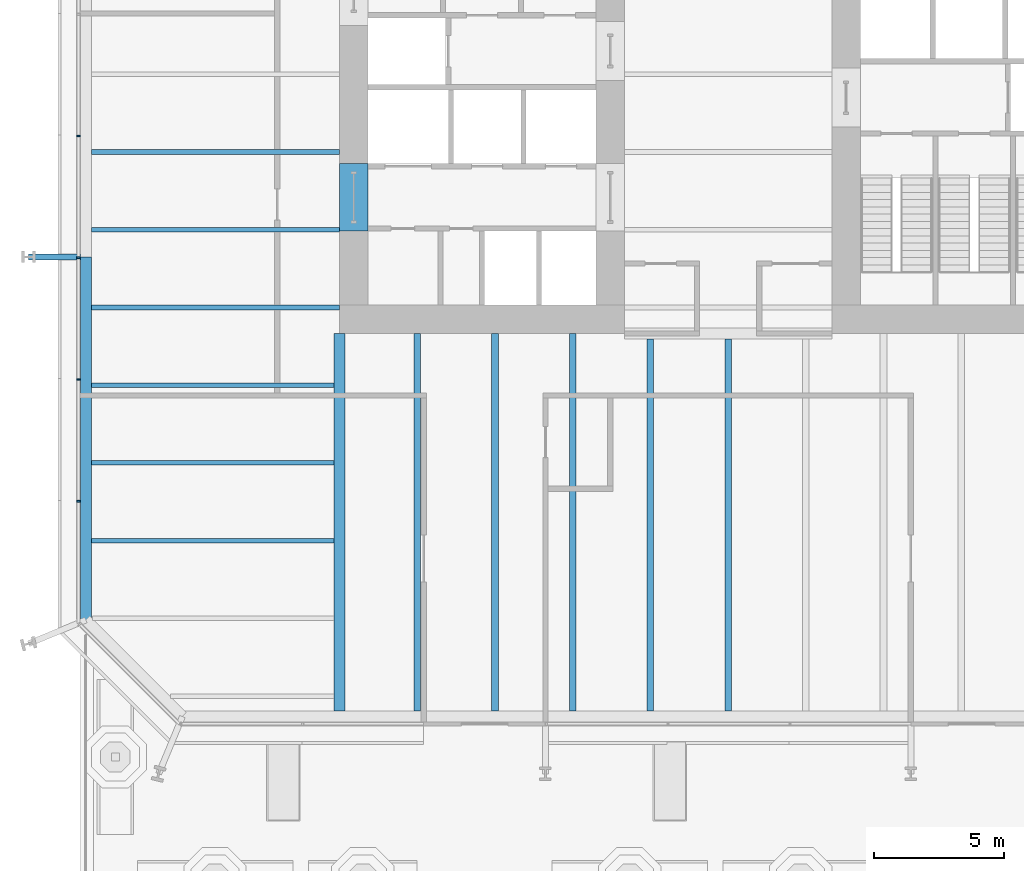
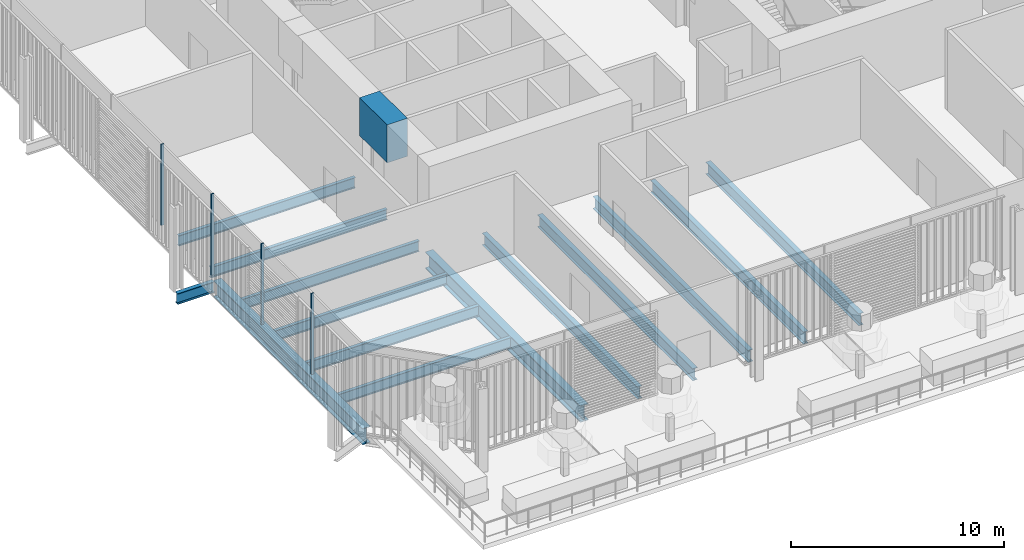
# One storey, part 3 of 21: 15 beams, 4 members, 1 element without a shape of its own.
"""IFC4 building model written with IfcOpenShell, lengths in metres."""

from ifc_helpers import new_model, si_unit, direction, frame, origin, origin_2d, place, context, subcontext, project, spatial, rectangle, i_section, extrude, material, layer, layer_set, material_profile, profile_set, type_object, element, aggregate, save


model = new_model("IFC4")

# Units and contexts
model_context = context("Model", 3, precision=1e-05, world=origin(), true_north=direction((0.0, 1.0)))
body_context = subcontext(model_context, "Body", "Model", "MODEL_VIEW")
ifc_project = project(units=[si_unit("LENGTHUNIT", "METRE"), si_unit("AREAUNIT", "SQUARE_METRE"), si_unit("VOLUMEUNIT", "CUBIC_METRE"), si_unit("PLANEANGLEUNIT", "RADIAN"), si_unit("MASSUNIT", "GRAM", prefix="KILO")], contexts=[model_context])

# Site, building, storey
site_placement = place(None, origin())
site = spatial("IfcSite", under=ifc_project, at=site_placement, CompositionType="ELEMENT")
building_placement = place(site_placement, origin())
building = spatial("IfcBuilding", under=site, at=building_placement, Name="Millrace Tower", CompositionType="ELEMENT")
storey_placement = place(building_placement, frame((0.0, 0.0, 16.10009765625)))
storey = spatial("IfcBuildingStorey", under=building, at=storey_placement, Name="L04", CompositionType="ELEMENT", Elevation=16.10009765625)

# Curtain wall, members
ifc_material_1 = material(Name="Aluminium and glass", Category="aluminium")
ifc_layer = layer(ifc_material_1, 0.14990234375)
ifc_layer_set = layer_set([ifc_layer], Name="Aluminium and glass")
curtain_wall_type = type_object("IfcCurtainWallType", Name="CW-2 data hall insulated curtain wall", PredefinedType="NOTDEFINED", material=ifc_layer_set)
curtain_wall_placement = place(storey_placement, origin())
curtain_wall = element("IfcCurtainWall", 1, at=curtain_wall_placement, inside=storey, type_object=curtain_wall_type, Name="Curtain wall A-F08 L04", PredefinedType="NOTDEFINED")
ifc_material_2 = material(Name="Aluminium", Category="aluminium")
ifc_material_profile_1 = material_profile(ifc_material_2, rectangle(XDim=0.06494140625, YDim=0.14990234375, at=origin_2d()))
ifc_profile_set_1 = profile_set([ifc_material_profile_1], Name="Aluminium")
member_type = type_object("IfcMemberType", Name="CW-2 data hall insulated curtain wall mullion", PredefinedType="MULLION", material=ifc_profile_set_1)
member_1_placement = place(storey_placement, frame((-25.074951171875, -2.382568359375, 0.159912109375), z_axis=(0.0, 0.0, 1.0), x_axis=(0.0, -1.0, 0.0)))
member_1 = element("IfcMember", 2, at=member_1_placement, type_object=member_type, Name="CW2 mullion A-F08.6", PredefinedType="MULLION", context=body_context, shape_type="SweptSolid", body=[
    extrude(rectangle(XDim=0.06494140625, YDim=0.14990234375, at=origin_2d()), origin(), (0.0, 0.0, 1.0), 4.639892578125),
])
member_2_placement = place(storey_placement, frame((-25.074951171875, -7.08251953125, 0.159912109375), z_axis=(0.0, 0.0, 1.0), x_axis=(0.0, -1.0, 0.0)))
member_2 = element("IfcMember", 3, at=member_2_placement, type_object=member_type, Name="CW2 mullion A-F08.7", PredefinedType="MULLION", context=body_context, shape_type="SweptSolid", body=[
    extrude(rectangle(XDim=0.06494140625, YDim=0.14990234375, at=origin_2d()), origin(), (0.0, 0.0, 1.0), 4.639892578125),
])
member_3_placement = place(storey_placement, frame((-25.074951171875, -11.782470703125, 0.159912109375), z_axis=(0.0, 0.0, 1.0), x_axis=(0.0, -1.0, 0.0)))
member_3 = element("IfcMember", 4, at=member_3_placement, type_object=member_type, Name="CW2 mullion A-F08.8", PredefinedType="MULLION", context=body_context, shape_type="SweptSolid", body=[
    extrude(rectangle(XDim=0.06494140625, YDim=0.14990234375, at=origin_2d()), origin(), (0.0, 0.0, 1.0), 4.639892578125),
])
member_4_placement = place(storey_placement, frame((-25.074951171875, -16.482421875, 0.159912109375), z_axis=(0.0, 0.0, 1.0), x_axis=(0.0, -1.0, 0.0)))
member_4 = element("IfcMember", 5, at=member_4_placement, type_object=member_type, Name="CW2 mullion A-F08.9", PredefinedType="MULLION", context=body_context, shape_type="SweptSolid", body=[
    extrude(rectangle(XDim=0.06494140625, YDim=0.14990234375, at=origin_2d()), origin(), (0.0, 0.0, 1.0), 4.639892578125),
])
aggregate(curtain_wall, [member_1, member_2, member_3, member_4])

# Beams
ifc_material_3 = material(Name="Concrete C80", Category="concrete")
ifc_material_profile_2 = material_profile(ifc_material_3, rectangle(XDim=1.10009765625, YDim=2.175048828125, at=origin_2d()))
ifc_profile_set_2 = profile_set([ifc_material_profile_2], Name="Concrete C80")
beam_type_1 = type_object("IfcBeamType", Name="Coupling beam 1100 x 2175 Concrete C80, 2000 opening", PredefinedType="BEAM", material=ifc_profile_set_2)
beam_1_placement = place(storey_placement, frame((-14.449951171875, -6.050048828125, 3.4873046875), z_axis=(0.0, 1.0, 0.0), x_axis=(-1.0, 0.0, 0.0)))
element("IfcBeam", 6, at=beam_1_placement, inside=storey, type_object=beam_type_1, Name="Coupling beam W L04", PredefinedType="BEAM", context=body_context, shape_type="SweptSolid", body=[
    extrude(rectangle(XDim=1.10009765625, YDim=2.175048828125, at=origin_2d()), origin(), (0.0, 0.0, 1.0), 2.60009765625),
])
ifc_material_4 = material(Name="Steel ASTM A992 Grade 50", Category="steel")
ifc_material_profile_3 = material_profile(ifc_material_4, i_section(OverallWidth=0.1787109375, OverallDepth=0.60205078125, WebThickness=0.010986328125, FlangeThickness=0.014892578125, FilletRadius=0.0126953125, at=origin_2d()))
ifc_profile_set_3 = profile_set([ifc_material_profile_3], Name="Steel ASTM A992 Grade 50")
beam_type_2 = type_object("IfcBeamType", Name="Floor beam W24x62", PredefinedType="JOIST", material=ifc_profile_set_3)
for number, where, z_axis, x_axis, name in (
    (7, (-24.578369140625, -18.0, -0.526123046875), (1.0, 0.0, 0.0), (0.0, 1.0, 0.0), "BM-A-L04-S1-S005"),
    (8, (-24.578369140625, -15.0, -0.526123046875), (1.0, 0.0, 0.0), (0.0, 1.0, 0.0), "BM-A-L04-S1-S007"),
    (9, (-24.578369140625, -12.0, -0.526123046875), (1.0, 0.0, 0.0), (0.0, 1.0, 0.0), "BM-A-L04-S1-S009"),
):
    element("IfcBeam", number, at=place(storey_placement, frame(where, z_axis=z_axis, x_axis=x_axis)), inside=storey, type_object=beam_type_2, Name=name, PredefinedType="JOIST", context=body_context, shape_type="SweptSolid", body=[
        extrude(i_section(OverallWidth=0.1787109375, OverallDepth=0.60205078125, WebThickness=0.010986328125, FlangeThickness=0.014892578125, FilletRadius=0.0126953125, at=origin_2d()), origin(), (0.0, 0.0, 1.0), 9.3662109375),
    ])
for number, where, z_axis, x_axis, name in (
    (10, (-24.578369140625, -9.0, -0.526123046875), (1.0, 0.0, 0.0), (0.0, 1.0, 0.0), "BM-A-L04-S1-S012"),
    (11, (-24.578369140625, -6.0, -0.526123046875), (1.0, 0.0, 0.0), (0.0, 1.0, 0.0), "BM-A-L04-S1-S015"),
    (12, (-24.578369140625, -3.0, -0.526123046875), (1.0, 0.0, 0.0), (0.0, 1.0, 0.0), "BM-A-L04-S1-S018"),
):
    element("IfcBeam", number, at=place(storey_placement, frame(where, z_axis=z_axis, x_axis=x_axis)), inside=storey, type_object=beam_type_2, Name=name, PredefinedType="JOIST", context=body_context, shape_type="SweptSolid", body=[
        extrude(i_section(OverallWidth=0.1787109375, OverallDepth=0.60205078125, WebThickness=0.010986328125, FlangeThickness=0.014892578125, FilletRadius=0.0126953125, at=origin_2d()), origin(), (0.0, 0.0, 1.0), 9.578369140625),
    ])
ifc_material_5 = material(Name="Steel ASTM A992 Grade 50", Category="steel")
ifc_material_profile_4 = material_profile(ifc_material_5, i_section(OverallWidth=0.256591796875, OverallDepth=0.693359375, WebThickness=0.014404296875, FlangeThickness=0.023681640625, FilletRadius=0.01513671875, at=origin_2d()))
ifc_profile_set_4 = profile_set([ifc_material_profile_4], Name="Steel ASTM A992 Grade 50")
beam_type_3 = type_object("IfcBeamType", Name="Floor beam W27x114", PredefinedType="JOIST", material=ifc_profile_set_4)
for number, where, z_axis, x_axis, name in (
    (13, (-12.0, -24.578369140625, -0.57177734375), (0.0, 1.0, 0.0), (-1.0, 0.0, 0.0), "BM-A-L04-S1-S043"),
    (14, (-9.0, -24.578369140625, -0.57177734375), (0.0, 1.0, 0.0), (-1.0, 0.0, 0.0), "BM-A-L04-S1-S045"),
    (15, (-6.0, -24.578369140625, -0.57177734375), (0.0, 1.0, 0.0), (-1.0, 0.0, 0.0), "BM-A-L04-S1-S047"),
):
    element("IfcBeam", number, at=place(storey_placement, frame(where, z_axis=z_axis, x_axis=x_axis)), inside=storey, type_object=beam_type_3, Name=name, PredefinedType="JOIST", context=body_context, shape_type="SweptSolid", body=[
        extrude(i_section(OverallWidth=0.256591796875, OverallDepth=0.693359375, WebThickness=0.014404296875, FlangeThickness=0.023681640625, FilletRadius=0.01513671875, at=origin_2d()), origin(), (0.0, 0.0, 1.0), 14.578369140625),
    ])
for number, where, z_axis, x_axis, name in (
    (16, (-3.0, -24.578369140625, -0.57177734375), (0.0, 1.0, 0.0), (-1.0, 0.0, 0.0), "BM-A-L04-S1-S049"),
    (17, (0.0, -24.578369140625, -0.57177734375), (0.0, 1.0, 0.0), (-1.0, 0.0, 0.0), "BM-A-L04-S1-S051"),
):
    element("IfcBeam", number, at=place(storey_placement, frame(where, z_axis=z_axis, x_axis=x_axis)), inside=storey, type_object=beam_type_3, Name=name, PredefinedType="JOIST", context=body_context, shape_type="SweptSolid", body=[
        extrude(i_section(OverallWidth=0.256591796875, OverallDepth=0.693359375, WebThickness=0.014404296875, FlangeThickness=0.023681640625, FilletRadius=0.01513671875, at=origin_2d()), origin(), (0.0, 0.0, 1.0), 14.3662109375),
    ])
ifc_material_6 = material(Name="Steel ASTM A992 Grade 50", Category="steel")
ifc_material_profile_5 = material_profile(ifc_material_6, i_section(OverallWidth=0.424072265625, OverallDepth=0.947509765625, WebThickness=0.02392578125, FlangeThickness=0.042724609375, FilletRadius=0.024169921875, at=origin_2d()))
ifc_profile_set_5 = profile_set([ifc_material_profile_5], Name="Steel ASTM A992 Grade 50")
beam_type_4 = type_object("IfcBeamType", Name="Girder medium span W36x302", PredefinedType="BEAM", material=ifc_profile_set_5)
beam_2_placement = place(storey_placement, frame((-15.0, -24.578369140625, -0.69873046875), z_axis=(0.0, 1.0, 0.0), x_axis=(-1.0, 0.0, 0.0)))
element("IfcBeam", 18, at=beam_2_placement, inside=storey, type_object=beam_type_4, Name="BM-A-L04-S1-G061", PredefinedType="BEAM", context=body_context, shape_type="SweptSolid", body=[
    extrude(i_section(OverallWidth=0.424072265625, OverallDepth=0.947509765625, WebThickness=0.02392578125, FlangeThickness=0.042724609375, FilletRadius=0.024169921875, at=origin_2d()), origin(), (0.0, 0.0, 1.0), 14.578369140625),
])
ifc_material_7 = material(Name="Steel ASTM A992 Grade 50", Category="steel")
ifc_material_profile_6 = material_profile(ifc_material_7, i_section(OverallWidth=0.23046875, OverallDepth=0.6171875, WebThickness=0.01318359375, FlangeThickness=0.022216796875, FilletRadius=0.012939453125, at=origin_2d()))
ifc_profile_set_6 = profile_set([ifc_material_profile_6], Name="Steel ASTM A992 Grade 50")
beam_type_5 = type_object("IfcBeamType", Name="Link beam W24x94", PredefinedType="BEAM", material=ifc_profile_set_6)
beam_3_placement = place(storey_placement, frame((-25.0, -7.050048828125, -0.53369140625), z_axis=(-1.0, 0.0, 0.0), x_axis=(0.0, -1.0, 0.0)))
element("IfcBeam", 19, at=beam_3_placement, inside=storey, type_object=beam_type_5, Name="LNK-A-L04-S1-02", PredefinedType="BEAM", context=body_context, shape_type="SweptSolid", body=[
    extrude(i_section(OverallWidth=0.23046875, OverallDepth=0.6171875, WebThickness=0.01318359375, FlangeThickness=0.022216796875, FilletRadius=0.012939453125, at=origin_2d()), origin(), (0.0, 0.0, 1.0), 2.0),
])
ifc_material_8 = material(Name="Steel ASTM A992 Grade 50", Category="steel")
ifc_material_profile_7 = material_profile(ifc_material_8, i_section(OverallWidth=0.421630859375, OverallDepth=0.937255859375, WebThickness=0.021240234375, FlangeThickness=0.03662109375, FilletRadius=0.024169921875, at=origin_2d()))
ifc_profile_set_7 = profile_set([ifc_material_profile_7], Name="Steel ASTM A992 Grade 50")
beam_type_6 = type_object("IfcBeamType", Name="Ring beam medium span W36x262", PredefinedType="SPANDREL", material=ifc_profile_set_7)
beam_4_placement = place(storey_placement, frame((-24.7890625, -21.062744140625, -0.69384765625), z_axis=(0.0, 1.0, 0.0), x_axis=(-1.0, 0.0, 0.0)))
element("IfcBeam", 20, at=beam_4_placement, inside=storey, type_object=beam_type_6, Name="RNG-A-L04-S1-01", PredefinedType="SPANDREL", context=body_context, shape_type="SweptSolid", body=[
    extrude(i_section(OverallWidth=0.421630859375, OverallDepth=0.937255859375, WebThickness=0.021240234375, FlangeThickness=0.03662109375, FilletRadius=0.024169921875, at=origin_2d()), origin(), (0.0, 0.0, 1.0), 14.0126953125),
])

save(model, "model.ifc")
